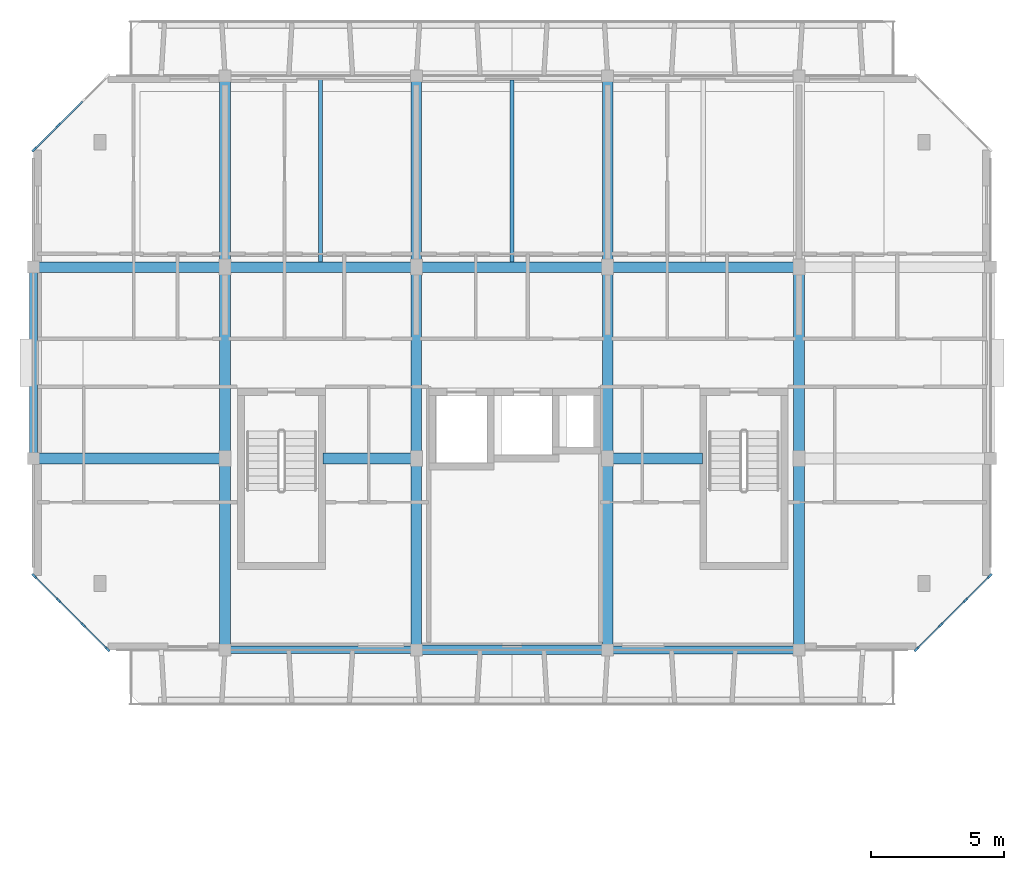
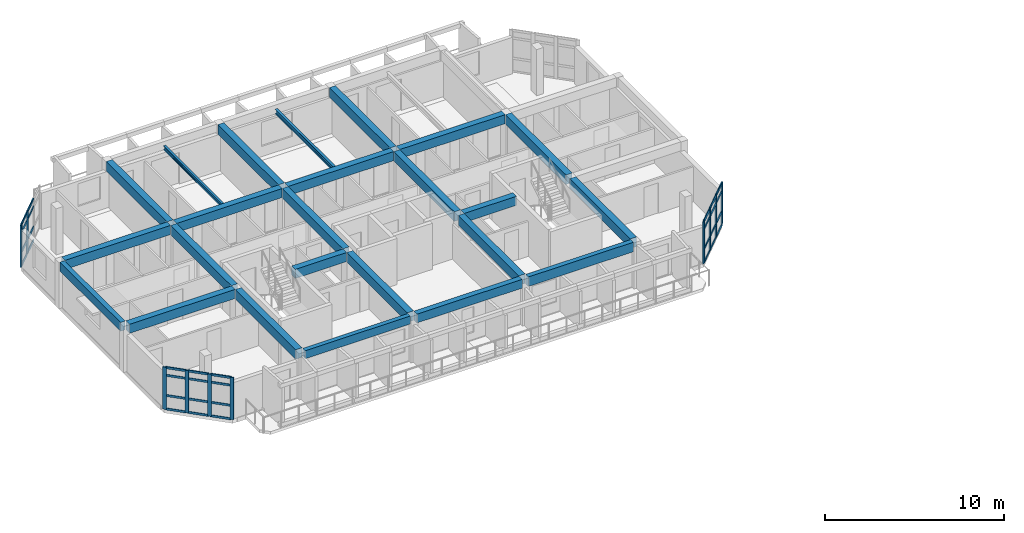
# One storey, part 4 of 22: 42 members, 24 beams, 3 elements without a shape of their own.
"""IFC4 building model written with IfcOpenShell, lengths in metres."""

from ifc_helpers import new_model, si_unit, direction, frame, origin, origin_2d, place, context, subcontext, project, spatial, rectangle, i_section, extrude, material, layer, layer_set, material_profile, profile_set, type_object, element, aggregate, save


model = new_model("IFC4")

# Units and contexts
model_context = context("Model", 3, precision=1e-05, world=origin(), true_north=direction((0.0, 1.0)))
body_context = subcontext(model_context, "Body", "Model", "MODEL_VIEW")
ifc_project = project(units=[si_unit("LENGTHUNIT", "METRE"), si_unit("AREAUNIT", "SQUARE_METRE"), si_unit("VOLUMEUNIT", "CUBIC_METRE"), si_unit("PLANEANGLEUNIT", "RADIAN"), si_unit("MASSUNIT", "GRAM", prefix="KILO")], contexts=[model_context])

# Site, building, storey
site_placement = place(None, origin())
site = spatial("IfcSite", under=ifc_project, at=site_placement, CompositionType="ELEMENT")
building_placement = place(site_placement, origin())
building = spatial("IfcBuilding", under=site, at=building_placement, Name="Ochrevale Crest", CompositionType="ELEMENT")
storey_placement = place(building_placement, frame((0.0, 0.0, 40.199951171875)))
storey = spatial("IfcBuildingStorey", under=building, at=storey_placement, Name="L12", CompositionType="ELEMENT", Elevation=40.199951171875)

# Beams
ifc_material_1 = material(Name="Precast concrete C50/60", Category="concrete")
ifc_material_profile_1 = material_profile(ifc_material_1, rectangle(XDim=0.39990234375, YDim=0.6201171875, at=origin_2d()), Name="PC 400x620")
ifc_profile_set_1 = profile_set([ifc_material_profile_1], Name="Precast concrete C50/60")
beam_type_1 = type_object("IfcBeamType", Name="BM-PC400x620", PredefinedType="BEAM", material=ifc_profile_set_1)
beam_1_placement = place(storey_placement, frame((129.800048828125, 79.199951171875, 2.840087890625), z_axis=(1.0, 0.0, 0.0), x_axis=(0.0, 1.0, 0.0)))
element("IfcBeam", 1, at=beam_1_placement, inside=storey, type_object=beam_type_1, Name="Block D L12 E-W beam Y=79.2", PredefinedType="BEAM", context=body_context, shape_type="SweptSolid", body=[
    extrude(rectangle(XDim=0.39990234375, YDim=0.6201171875, at=origin_2d()), origin(), (0.0, 0.0, 1.0), 6.800048828125),
])
beam_2_placement = place(storey_placement, frame((140.489990234375, 79.199951171875, 2.840087890625), z_axis=(1.0, 0.0, 0.0), x_axis=(0.0, 1.0, 0.0)))
element("IfcBeam", 2, at=beam_2_placement, inside=storey, type_object=beam_type_1, Name="Block D L12 E-W beam Y=79.2", PredefinedType="BEAM", context=body_context, shape_type="SweptSolid", body=[
    extrude(rectangle(XDim=0.39990234375, YDim=0.6201171875, at=origin_2d()), origin(), (0.0, 0.0, 1.0), 3.31005859375),
])
beam_3_placement = place(storey_placement, frame((151.39990234375, 79.199951171875, 2.840087890625), z_axis=(1.0, 0.0, 0.0), x_axis=(0.0, 1.0, 0.0)))
element("IfcBeam", 3, at=beam_3_placement, inside=storey, type_object=beam_type_1, Name="Block D L12 E-W beam Y=79.2", PredefinedType="BEAM", context=body_context, shape_type="SweptSolid", body=[
    extrude(rectangle(XDim=0.39990234375, YDim=0.6201171875, at=origin_2d()), origin(), (0.0, 0.0, 1.0), 3.360107421875),
])
for number, where, z_axis, x_axis, name in (
    (4, (129.800048828125, 86.39990234375, 2.840087890625), (1.0, 0.0, 0.0), (0.0, 1.0, 0.0), "Block D L12 E-W beam Y=86.4"),
    (5, (137.0, 86.39990234375, 2.840087890625), (1.0, 0.0, 0.0), (0.0, 1.0, 0.0), "Block D L12 E-W beam Y=86.4"),
    (6, (144.199951171875, 86.39990234375, 2.840087890625), (1.0, 0.0, 0.0), (0.0, 1.0, 0.0), "Block D L12 E-W beam Y=86.4"),
    (7, (151.39990234375, 86.39990234375, 2.840087890625), (1.0, 0.0, 0.0), (0.0, 1.0, 0.0), "Block D L12 E-W beam Y=86.4"),
):
    element("IfcBeam", number, at=place(storey_placement, frame(where, z_axis=z_axis, x_axis=x_axis)), inside=storey, type_object=beam_type_1, Name=name, PredefinedType="BEAM", context=body_context, shape_type="SweptSolid", body=[
        extrude(rectangle(XDim=0.39990234375, YDim=0.6201171875, at=origin_2d()), origin(), (0.0, 0.0, 1.0), 6.800048828125),
    ])
ifc_material_profile_2 = material_profile(ifc_material_1, rectangle(XDim=0.39990234375, YDim=0.64990234375, at=origin_2d()), Name="PC 400x650")
ifc_profile_set_2 = profile_set([ifc_material_profile_2], Name="Precast concrete C50/60")
beam_type_2 = type_object("IfcBeamType", Name="BM-PC400x650", PredefinedType="BEAM", material=ifc_profile_set_2)
for number, where, z_axis, x_axis, name in (
    (8, (136.800048828125, 72.205078125, 2.824951171875), (0.0, 1.0, 0.0), (-1.0, 0.0, 0.0), "Block D L12 N-S beam X=136.8"),
    (9, (136.800048828125, 79.405029296875, 2.824951171875), (0.0, 1.0, 0.0), (-1.0, 0.0, 0.0), "Block D L12 N-S beam X=136.8"),
    (10, (136.800048828125, 86.60498046875, 2.824951171875), (0.0, 1.0, 0.0), (-1.0, 0.0, 0.0), "Block D L12 N-S beam X=136.8"),
    (11, (144.0, 72.205078125, 2.824951171875), (0.0, 1.0, 0.0), (-1.0, 0.0, 0.0), "Block D L12 N-S beam X=144.0"),
    (12, (144.0, 79.405029296875, 2.824951171875), (0.0, 1.0, 0.0), (-1.0, 0.0, 0.0), "Block D L12 N-S beam X=144.0"),
    (13, (144.0, 86.60498046875, 2.824951171875), (0.0, 1.0, 0.0), (-1.0, 0.0, 0.0), "Block D L12 N-S beam X=144.0"),
    (14, (151.199951171875, 72.205078125, 2.824951171875), (0.0, 1.0, 0.0), (-1.0, 0.0, 0.0), "Block D L12 N-S beam X=151.2"),
    (15, (151.199951171875, 79.405029296875, 2.824951171875), (0.0, 1.0, 0.0), (-1.0, 0.0, 0.0), "Block D L12 N-S beam X=151.2"),
    (16, (151.199951171875, 86.60498046875, 2.824951171875), (0.0, 1.0, 0.0), (-1.0, 0.0, 0.0), "Block D L12 N-S beam X=151.2"),
    (17, (158.39990234375, 72.205078125, 2.824951171875), (0.0, 1.0, 0.0), (-1.0, 0.0, 0.0), "Block D L12 N-S beam X=158.4"),
    (18, (158.39990234375, 79.405029296875, 2.824951171875), (0.0, 1.0, 0.0), (-1.0, 0.0, 0.0), "Block D L12 N-S beam X=158.4"),
):
    element("IfcBeam", number, at=place(storey_placement, frame(where, z_axis=z_axis, x_axis=x_axis)), inside=storey, type_object=beam_type_2, Name=name, PredefinedType="BEAM", context=body_context, shape_type="SweptSolid", body=[
        extrude(rectangle(XDim=0.39990234375, YDim=0.64990234375, at=origin_2d()), origin(), (0.0, 0.0, 1.0), 6.7900390625),
    ])
ifc_material_2 = material(Name="Precast concrete C40/50", Category="concrete")
ifc_material_profile_3 = material_profile(ifc_material_2, rectangle(XDim=0.280029296875, YDim=0.550048828125, at=origin_2d()), Name="PC 280x550")
ifc_profile_set_3 = profile_set([ifc_material_profile_3], Name="Precast concrete C40/50")
beam_type_3 = type_object("IfcBeamType", Name="BM-SP280x550", PredefinedType="SPANDREL", material=ifc_profile_set_3)
beam_4_placement = place(storey_placement, frame((137.0, 72.0, 2.875), z_axis=(1.0, 0.0, 0.0), x_axis=(0.0, 1.0, 0.0)))
element("IfcBeam", 19, at=beam_4_placement, inside=storey, type_object=beam_type_3, Name="Block D L12 E-W beam Y=72.0", PredefinedType="SPANDREL", context=body_context, shape_type="SweptSolid", body=[
    extrude(rectangle(XDim=0.280029296875, YDim=0.550048828125, at=origin_2d()), origin(), (0.0, 0.0, 1.0), 6.800048828125),
])
ifc_material_profile_4 = material_profile(ifc_material_2, rectangle(XDim=0.300048828125, YDim=0.60009765625, at=origin_2d()), Name="PC 300x600")
ifc_profile_set_4 = profile_set([ifc_material_profile_4], Name="Precast concrete C40/50")
beam_type_4 = type_object("IfcBeamType", Name="BM-SP300x600", PredefinedType="SPANDREL", material=ifc_profile_set_4)
beam_5_placement = place(storey_placement, frame((129.60009765625, 79.405029296875, 2.85009765625), z_axis=(0.0, 1.0, 0.0), x_axis=(-1.0, 0.0, 0.0)))
element("IfcBeam", 20, at=beam_5_placement, inside=storey, type_object=beam_type_4, Name="Block D L12 N-S beam X=129.6", PredefinedType="SPANDREL", context=body_context, shape_type="SweptSolid", body=[
    extrude(rectangle(XDim=0.300048828125, YDim=0.60009765625, at=origin_2d()), origin(), (0.0, 0.0, 1.0), 6.7900390625),
])
ifc_material_profile_5 = material_profile(ifc_material_2, rectangle(XDim=0.300048828125, YDim=0.64990234375, at=origin_2d()), Name="PC 300x650")
ifc_profile_set_5 = profile_set([ifc_material_profile_5], Name="Precast concrete C40/50")
beam_type_5 = type_object("IfcBeamType", Name="BM-SP300x650", PredefinedType="SPANDREL", material=ifc_profile_set_5)
beam_6_placement = place(storey_placement, frame((151.39990234375, 72.0, 2.824951171875), z_axis=(1.0, 0.0, 0.0), x_axis=(0.0, 1.0, 0.0)))
element("IfcBeam", 21, at=beam_6_placement, inside=storey, type_object=beam_type_5, Name="Block D L12 E-W beam Y=72.0", PredefinedType="SPANDREL", context=body_context, shape_type="SweptSolid", body=[
    extrude(rectangle(XDim=0.300048828125, YDim=0.64990234375, at=origin_2d()), origin(), (0.0, 0.0, 1.0), 6.800048828125),
])
ifc_material_profile_6 = material_profile(ifc_material_2, rectangle(XDim=0.35009765625, YDim=0.60009765625, at=origin_2d()), Name="PC 350x600")
ifc_profile_set_6 = profile_set([ifc_material_profile_6], Name="Precast concrete C40/50")
beam_type_6 = type_object("IfcBeamType", Name="BM-SP350x600", PredefinedType="SPANDREL", material=ifc_profile_set_6)
beam_7_placement = place(storey_placement, frame((144.199951171875, 72.0, 2.85009765625), z_axis=(1.0, 0.0, 0.0), x_axis=(0.0, 1.0, 0.0)))
element("IfcBeam", 22, at=beam_7_placement, inside=storey, type_object=beam_type_6, Name="Block D L12 E-W beam Y=72.0", PredefinedType="SPANDREL", context=body_context, shape_type="SweptSolid", body=[
    extrude(rectangle(XDim=0.35009765625, YDim=0.60009765625, at=origin_2d()), origin(), (0.0, 0.0, 1.0), 6.800048828125),
])
ifc_material_3 = material(Name="Steel S355", Category="steel")
ifc_material_profile_7 = material_profile(ifc_material_3, i_section(OverallWidth=0.146484375, OverallDepth=0.256103515625, WebThickness=0.00634765625, FlangeThickness=0.010986328125, FilletRadius=0.0087890625, at=origin_2d()), Name="250UB37.3")
ifc_profile_set_7 = profile_set([ifc_material_profile_7], Name="Steel S355")
beam_type_7 = type_object("IfcBeamType", Name="BM-UB250B", PredefinedType="JOIST", material=ifc_profile_set_7)
beam_8_placement = place(storey_placement, frame((140.39990234375, 86.587890625, 2.7470703125), z_axis=(0.0, 1.0, 0.0), x_axis=(-1.0, 0.0, 0.0)))
element("IfcBeam", 23, at=beam_8_placement, inside=storey, type_object=beam_type_7, Name="Block D L12 composite plank trimmer beam 2", PredefinedType="JOIST", context=body_context, shape_type="SweptSolid", body=[
    extrude(i_section(OverallWidth=0.146484375, OverallDepth=0.256103515625, WebThickness=0.00634765625, FlangeThickness=0.010986328125, FilletRadius=0.0087890625, at=origin_2d()), origin(), (0.0, 0.0, 1.0), 6.884033203125),
])
ifc_material_profile_8 = material_profile(ifc_material_3, i_section(OverallWidth=0.1650390625, OverallDepth=0.3037109375, WebThickness=0.006103515625, FlangeThickness=0.01025390625, FilletRadius=0.011474609375, at=origin_2d()), Name="310UB40.4")
ifc_profile_set_8 = profile_set([ifc_material_profile_8], Name="Steel S355")
beam_type_8 = type_object("IfcBeamType", Name="BM-UB310A", PredefinedType="BEAM", material=ifc_profile_set_8)
beam_9_placement = place(storey_placement, frame((147.60009765625, 86.587890625, 2.72314453125), z_axis=(0.0, 1.0, 0.0), x_axis=(-1.0, 0.0, 0.0)))
element("IfcBeam", 24, at=beam_9_placement, inside=storey, type_object=beam_type_8, Name="Block D L12 composite plank trimmer beam 3", PredefinedType="BEAM", context=body_context, shape_type="SweptSolid", body=[
    extrude(i_section(OverallWidth=0.1650390625, OverallDepth=0.3037109375, WebThickness=0.006103515625, FlangeThickness=0.01025390625, FilletRadius=0.011474609375, at=origin_2d()), origin(), (0.0, 0.0, 1.0), 6.84912109375),
])

# Curtain wall, members
ifc_material_4 = material(Name="Anodised aluminium 6063-T5", Category="aluminium")
ifc_layer_1 = layer(ifc_material_4, 0.14990234375)
ifc_layer_set_1 = layer_set([ifc_layer_1], Name="Anodised aluminium 6063-T5")
curtain_wall_type_1 = type_object("IfcCurtainWallType", Name="CW-WG-420x285", PredefinedType="NOTDEFINED", material=ifc_layer_set_1)
curtain_wall_1_placement = place(storey_placement, origin())
curtain_wall_1 = element("IfcCurtainWall", 25, at=curtain_wall_1_placement, inside=storey, type_object=curtain_wall_type_1, Name="Block D L12 chamfered corner wintergarden curtain wall 2", PredefinedType="NOTDEFINED")
ifc_material_profile_9 = material_profile(ifc_material_4, rectangle(XDim=0.074951171875, YDim=0.219970703125, at=origin_2d()), Name="ALU 75x220")
ifc_profile_set_9 = profile_set([ifc_material_profile_9], Name="Anodised aluminium 6063-T5")
member_type_1 = type_object("IfcMemberType", Name="CW-MUL-75x220", PredefinedType="MULLION", material=ifc_profile_set_9)
member_1_placement = place(storey_placement, frame((162.826416015625, 72.026611328125, 0.0), z_axis=(0.0, 0.0, 1.0), x_axis=(-0.707106781187, 0.707106781187, 0.0)))
member_1 = element("IfcMember", 26, at=member_1_placement, type_object=member_type_1, Name="CW22 mullion 1", PredefinedType="MULLION", context=body_context, shape_type="SweptSolid", body=[
    extrude(rectangle(XDim=0.074951171875, YDim=0.219970703125, at=origin_2d()), origin(), (0.0, 0.0, 1.0), 2.875),
])
member_2_placement = place(storey_placement, frame((163.7333984375, 72.933349609375, 0.0), z_axis=(0.0, 0.0, 1.0), x_axis=(-0.707106781187, 0.707106781187, 0.0)))
member_2 = element("IfcMember", 27, at=member_2_placement, type_object=member_type_1, Name="CW22 mullion 2", PredefinedType="MULLION", context=body_context, shape_type="SweptSolid", body=[
    extrude(rectangle(XDim=0.074951171875, YDim=0.219970703125, at=origin_2d()), origin(), (0.0, 0.0, 1.0), 2.875),
])
member_3_placement = place(storey_placement, frame((164.666748046875, 73.86669921875, 0.0), z_axis=(0.0, 0.0, 1.0), x_axis=(-0.707106781187, 0.707106781187, 0.0)))
member_3 = element("IfcMember", 28, at=member_3_placement, type_object=member_type_1, Name="CW22 mullion 3", PredefinedType="MULLION", context=body_context, shape_type="SweptSolid", body=[
    extrude(rectangle(XDim=0.074951171875, YDim=0.219970703125, at=origin_2d()), origin(), (0.0, 0.0, 1.0), 2.875),
])
member_4_placement = place(storey_placement, frame((165.573486328125, 74.7734375, 0.0), z_axis=(0.0, 0.0, 1.0), x_axis=(-0.707106781187, 0.707106781187, 0.0)))
member_4 = element("IfcMember", 29, at=member_4_placement, type_object=member_type_1, Name="CW22 mullion 4", PredefinedType="MULLION", context=body_context, shape_type="SweptSolid", body=[
    extrude(rectangle(XDim=0.074951171875, YDim=0.219970703125, at=origin_2d()), origin(), (0.0, 0.0, 1.0), 2.875),
])

ifc_layer_2 = layer(ifc_material_4, 0.14990234375)
ifc_layer_set_2 = layer_set([ifc_layer_2], Name="Anodised aluminium 6063-T5")
curtain_wall_type_2 = type_object("IfcCurtainWallType", Name="CW-WG-360x285", PredefinedType="NOTDEFINED", material=ifc_layer_set_2)
curtain_wall_2_placement = place(storey_placement, origin())
curtain_wall_2 = element("IfcCurtainWall", 30, at=curtain_wall_2_placement, inside=storey, type_object=curtain_wall_type_2, Name="Block D L12 chamfered corner wintergarden curtain wall 6", PredefinedType="NOTDEFINED")
member_5_placement = place(storey_placement, frame((130.533447265625, 91.7333984375, 0.0), z_axis=(0.0, 0.0, 1.0), x_axis=(0.707106781187, -0.707106781187, 0.0)))
member_5 = element("IfcMember", 31, at=member_5_placement, type_object=member_type_1, Name="CW18 mullion 3", PredefinedType="MULLION", context=body_context, shape_type="SweptSolid", body=[
    extrude(rectangle(XDim=0.074951171875, YDim=0.219970703125, at=origin_2d()), origin(), (0.0, 0.0, 1.0), 2.875),
])
member_6_placement = place(storey_placement, frame((129.62646484375, 90.826416015625, 0.0), z_axis=(0.0, 0.0, 1.0), x_axis=(0.707106781187, -0.707106781187, 0.0)))
member_6 = element("IfcMember", 32, at=member_6_placement, type_object=member_type_1, Name="CW18 mullion 4", PredefinedType="MULLION", context=body_context, shape_type="SweptSolid", body=[
    extrude(rectangle(XDim=0.074951171875, YDim=0.219970703125, at=origin_2d()), origin(), (0.0, 0.0, 1.0), 2.875),
])

ifc_layer_3 = layer(ifc_material_4, 0.14990234375)
ifc_layer_set_3 = layer_set([ifc_layer_3], Name="Anodised aluminium 6063-T5")
curtain_wall_type_3 = type_object("IfcCurtainWallType", Name="CW-WG-240x285", PredefinedType="NOTDEFINED", material=ifc_layer_set_3)
curtain_wall_3_placement = place(storey_placement, origin())
curtain_wall_3 = element("IfcCurtainWall", 33, at=curtain_wall_3_placement, inside=storey, type_object=curtain_wall_type_3, Name="Block D L12 chamfered corner wintergarden curtain wall 8", PredefinedType="NOTDEFINED")
member_7_placement = place(storey_placement, frame((129.62646484375, 74.7734375, 0.0), z_axis=(0.0, 0.0, 1.0), x_axis=(0.707106781187, 0.707106781187, 0.0)))
member_7 = element("IfcMember", 34, at=member_7_placement, type_object=member_type_1, Name="CW15 mullion 1", PredefinedType="MULLION", context=body_context, shape_type="SweptSolid", body=[
    extrude(rectangle(XDim=0.074951171875, YDim=0.219970703125, at=origin_2d()), origin(), (0.0, 0.0, 1.0), 2.875),
])
member_8_placement = place(storey_placement, frame((130.533447265625, 73.86669921875, 0.0), z_axis=(0.0, 0.0, 1.0), x_axis=(0.707106781187, 0.707106781187, 0.0)))
member_8 = element("IfcMember", 35, at=member_8_placement, type_object=member_type_1, Name="CW15 mullion 2", PredefinedType="MULLION", context=body_context, shape_type="SweptSolid", body=[
    extrude(rectangle(XDim=0.074951171875, YDim=0.219970703125, at=origin_2d()), origin(), (0.0, 0.0, 1.0), 2.875),
])
member_9_placement = place(storey_placement, frame((131.466552734375, 72.933349609375, 0.0), z_axis=(0.0, 0.0, 1.0), x_axis=(0.707106781187, 0.707106781187, 0.0)))
member_9 = element("IfcMember", 36, at=member_9_placement, type_object=member_type_1, Name="CW15 mullion 3", PredefinedType="MULLION", context=body_context, shape_type="SweptSolid", body=[
    extrude(rectangle(XDim=0.074951171875, YDim=0.219970703125, at=origin_2d()), origin(), (0.0, 0.0, 1.0), 2.875),
])
member_10_placement = place(storey_placement, frame((132.37353515625, 72.026611328125, 0.0), z_axis=(0.0, 0.0, 1.0), x_axis=(0.707106781187, 0.707106781187, 0.0)))
member_10 = element("IfcMember", 37, at=member_10_placement, type_object=member_type_1, Name="CW15 mullion 4", PredefinedType="MULLION", context=body_context, shape_type="SweptSolid", body=[
    extrude(rectangle(XDim=0.074951171875, YDim=0.219970703125, at=origin_2d()), origin(), (0.0, 0.0, 1.0), 2.875),
])

# Member
ifc_material_profile_10 = material_profile(ifc_material_4, rectangle(XDim=0.06005859375, YDim=0.14990234375, at=origin_2d()), Name="ALU 60x150")
ifc_profile_set_10 = profile_set([ifc_material_profile_10], Name="Anodised aluminium 6063-T5")
member_type_2 = type_object("IfcMemberType", Name="CW-TRN-60x150", PredefinedType="USERDEFINED", material=ifc_profile_set_10)
member_11_placement = place(storey_placement, frame((162.85302734375, 72.052978515625, 0.030029296875), z_axis=(0.707106781187, 0.707106781187, 0.0), x_axis=(-0.707106781187, 0.707106781187, 0.0)))
member_11 = element("IfcMember", 38, at=member_11_placement, type_object=member_type_2, Name="CW22 transom 1.1", ObjectType="TRANSOM", PredefinedType="USERDEFINED", context=body_context, shape_type="SweptSolid", body=[
    extrude(rectangle(XDim=0.06005859375, YDim=0.14990234375, at=origin_2d()), origin(), (0.0, 0.0, 1.0), 1.20751953125),
])

member_12_placement = place(storey_placement, frame((162.85302734375, 72.052978515625, 0.949951171875), z_axis=(0.707106781187, 0.707106781187, 0.0), x_axis=(-0.707106781187, 0.707106781187, 0.0)))
member_12 = element("IfcMember", 39, at=member_12_placement, type_object=member_type_2, Name="CW22 transom 1.2", ObjectType="TRANSOM", PredefinedType="USERDEFINED", context=body_context, shape_type="SweptSolid", body=[
    extrude(rectangle(XDim=0.06005859375, YDim=0.14990234375, at=origin_2d()), origin(), (0.0, 0.0, 1.0), 1.20751953125),
])

member_13_placement = place(storey_placement, frame((162.85302734375, 72.052978515625, 2.324951171875), z_axis=(0.707106781187, 0.707106781187, 0.0), x_axis=(-0.707106781187, 0.707106781187, 0.0)))
member_13 = element("IfcMember", 40, at=member_13_placement, type_object=member_type_2, Name="CW22 transom 1.3", ObjectType="TRANSOM", PredefinedType="USERDEFINED", context=body_context, shape_type="SweptSolid", body=[
    extrude(rectangle(XDim=0.06005859375, YDim=0.14990234375, at=origin_2d()), origin(), (0.0, 0.0, 1.0), 1.20751953125),
])

member_14_placement = place(storey_placement, frame((162.85302734375, 72.052978515625, 2.844970703125), z_axis=(0.707106781187, 0.707106781187, 0.0), x_axis=(-0.707106781187, 0.707106781187, 0.0)))
member_14 = element("IfcMember", 41, at=member_14_placement, type_object=member_type_2, Name="CW22 transom 1.4", ObjectType="TRANSOM", PredefinedType="USERDEFINED", context=body_context, shape_type="SweptSolid", body=[
    extrude(rectangle(XDim=0.06005859375, YDim=0.14990234375, at=origin_2d()), origin(), (0.0, 0.0, 1.0), 1.20751953125),
])

member_15_placement = place(storey_placement, frame((163.759765625, 72.9599609375, 0.030029296875), z_axis=(0.707204833848, 0.707008714926, 0.0), x_axis=(-0.707008714926, 0.707204833848, 0.0)))
member_15 = element("IfcMember", 42, at=member_15_placement, type_object=member_type_2, Name="CW22 transom 2.1", ObjectType="TRANSOM", PredefinedType="USERDEFINED", context=body_context, shape_type="SweptSolid", body=[
    extrude(rectangle(XDim=0.06005859375, YDim=0.14990234375, at=origin_2d()), origin(), (0.0, 0.0, 1.0), 1.244873046875),
])

member_16_placement = place(storey_placement, frame((163.759765625, 72.9599609375, 0.949951171875), z_axis=(0.707204833848, 0.707008714926, 0.0), x_axis=(-0.707008714926, 0.707204833848, 0.0)))
member_16 = element("IfcMember", 43, at=member_16_placement, type_object=member_type_2, Name="CW22 transom 2.2", ObjectType="TRANSOM", PredefinedType="USERDEFINED", context=body_context, shape_type="SweptSolid", body=[
    extrude(rectangle(XDim=0.06005859375, YDim=0.14990234375, at=origin_2d()), origin(), (0.0, 0.0, 1.0), 1.244873046875),
])

member_17_placement = place(storey_placement, frame((163.759765625, 72.9599609375, 2.324951171875), z_axis=(0.707204833848, 0.707008714926, 0.0), x_axis=(-0.707008714926, 0.707204833848, 0.0)))
member_17 = element("IfcMember", 44, at=member_17_placement, type_object=member_type_2, Name="CW22 transom 2.3", ObjectType="TRANSOM", PredefinedType="USERDEFINED", context=body_context, shape_type="SweptSolid", body=[
    extrude(rectangle(XDim=0.06005859375, YDim=0.14990234375, at=origin_2d()), origin(), (0.0, 0.0, 1.0), 1.244873046875),
])

member_18_placement = place(storey_placement, frame((163.759765625, 72.9599609375, 2.844970703125), z_axis=(0.707204833848, 0.707008714926, 0.0), x_axis=(-0.707008714926, 0.707204833848, 0.0)))
member_18 = element("IfcMember", 45, at=member_18_placement, type_object=member_type_2, Name="CW22 transom 2.4", ObjectType="TRANSOM", PredefinedType="USERDEFINED", context=body_context, shape_type="SweptSolid", body=[
    extrude(rectangle(XDim=0.06005859375, YDim=0.14990234375, at=origin_2d()), origin(), (0.0, 0.0, 1.0), 1.244873046875),
])

member_19_placement = place(storey_placement, frame((164.693115234375, 73.89306640625, 0.030029296875), z_axis=(0.707005686502, 0.70720786142, 0.0), x_axis=(-0.70720786142, 0.707005686502, 0.0)))
member_19 = element("IfcMember", 46, at=member_19_placement, type_object=member_type_2, Name="CW22 transom 3.1", ObjectType="TRANSOM", PredefinedType="USERDEFINED", context=body_context, shape_type="SweptSolid", body=[
    extrude(rectangle(XDim=0.06005859375, YDim=0.14990234375, at=origin_2d()), origin(), (0.0, 0.0, 1.0), 1.20751953125),
])

member_20_placement = place(storey_placement, frame((164.693115234375, 73.89306640625, 0.949951171875), z_axis=(0.707005686502, 0.70720786142, 0.0), x_axis=(-0.70720786142, 0.707005686502, 0.0)))
member_20 = element("IfcMember", 47, at=member_20_placement, type_object=member_type_2, Name="CW22 transom 3.2", ObjectType="TRANSOM", PredefinedType="USERDEFINED", context=body_context, shape_type="SweptSolid", body=[
    extrude(rectangle(XDim=0.06005859375, YDim=0.14990234375, at=origin_2d()), origin(), (0.0, 0.0, 1.0), 1.20751953125),
])

member_21_placement = place(storey_placement, frame((164.693115234375, 73.89306640625, 2.324951171875), z_axis=(0.707005686502, 0.70720786142, 0.0), x_axis=(-0.70720786142, 0.707005686502, 0.0)))
member_21 = element("IfcMember", 48, at=member_21_placement, type_object=member_type_2, Name="CW22 transom 3.3", ObjectType="TRANSOM", PredefinedType="USERDEFINED", context=body_context, shape_type="SweptSolid", body=[
    extrude(rectangle(XDim=0.06005859375, YDim=0.14990234375, at=origin_2d()), origin(), (0.0, 0.0, 1.0), 1.20751953125),
])

member_22_placement = place(storey_placement, frame((164.693115234375, 73.89306640625, 2.844970703125), z_axis=(0.707005686502, 0.70720786142, 0.0), x_axis=(-0.70720786142, 0.707005686502, 0.0)))
member_22 = element("IfcMember", 49, at=member_22_placement, type_object=member_type_2, Name="CW22 transom 3.4", ObjectType="TRANSOM", PredefinedType="USERDEFINED", context=body_context, shape_type="SweptSolid", body=[
    extrude(rectangle(XDim=0.06005859375, YDim=0.14990234375, at=origin_2d()), origin(), (0.0, 0.0, 1.0), 1.20751953125),
])

aggregate(curtain_wall_1, [member_1, member_2, member_3, member_4, member_11, member_12, member_13, member_14, member_15, member_16, member_17, member_18, member_19, member_20, member_21, member_22])

member_23_placement = place(storey_placement, frame((131.440185546875, 92.64013671875, 0.030029296875), z_axis=(-0.707106781187, -0.707106781187, 0.0), x_axis=(0.707106781187, -0.707106781187, 0.0)))
member_23 = element("IfcMember", 50, at=member_23_placement, type_object=member_type_2, Name="CW18 transom 2.1", ObjectType="TRANSOM", PredefinedType="USERDEFINED", context=body_context, shape_type="SweptSolid", body=[
    extrude(rectangle(XDim=0.06005859375, YDim=0.14990234375, at=origin_2d()), origin(), (0.0, 0.0, 1.0), 1.2451171875),
])

member_24_placement = place(storey_placement, frame((131.440185546875, 92.64013671875, 0.949951171875), z_axis=(-0.707106781187, -0.707106781187, 0.0), x_axis=(0.707106781187, -0.707106781187, 0.0)))
member_24 = element("IfcMember", 51, at=member_24_placement, type_object=member_type_2, Name="CW18 transom 2.2", ObjectType="TRANSOM", PredefinedType="USERDEFINED", context=body_context, shape_type="SweptSolid", body=[
    extrude(rectangle(XDim=0.06005859375, YDim=0.14990234375, at=origin_2d()), origin(), (0.0, 0.0, 1.0), 1.2451171875),
])

member_25_placement = place(storey_placement, frame((131.440185546875, 92.64013671875, 2.324951171875), z_axis=(-0.707106781187, -0.707106781187, 0.0), x_axis=(0.707106781187, -0.707106781187, 0.0)))
member_25 = element("IfcMember", 52, at=member_25_placement, type_object=member_type_2, Name="CW18 transom 2.3", ObjectType="TRANSOM", PredefinedType="USERDEFINED", context=body_context, shape_type="SweptSolid", body=[
    extrude(rectangle(XDim=0.06005859375, YDim=0.14990234375, at=origin_2d()), origin(), (0.0, 0.0, 1.0), 1.2451171875),
])

member_26_placement = place(storey_placement, frame((131.440185546875, 92.64013671875, 2.844970703125), z_axis=(-0.707106781187, -0.707106781187, 0.0), x_axis=(0.707106781187, -0.707106781187, 0.0)))
member_26 = element("IfcMember", 53, at=member_26_placement, type_object=member_type_2, Name="CW18 transom 2.4", ObjectType="TRANSOM", PredefinedType="USERDEFINED", context=body_context, shape_type="SweptSolid", body=[
    extrude(rectangle(XDim=0.06005859375, YDim=0.14990234375, at=origin_2d()), origin(), (0.0, 0.0, 1.0), 1.2451171875),
])

member_27_placement = place(storey_placement, frame((130.5068359375, 91.706787109375, 0.030029296875), z_axis=(-0.707106781187, -0.707106781187, 0.0), x_axis=(0.707106781187, -0.707106781187, 0.0)))
member_27 = element("IfcMember", 54, at=member_27_placement, type_object=member_type_2, Name="CW18 transom 3.1", ObjectType="TRANSOM", PredefinedType="USERDEFINED", context=body_context, shape_type="SweptSolid", body=[
    extrude(rectangle(XDim=0.06005859375, YDim=0.14990234375, at=origin_2d()), origin(), (0.0, 0.0, 1.0), 1.20751953125),
])

member_28_placement = place(storey_placement, frame((130.5068359375, 91.706787109375, 0.949951171875), z_axis=(-0.707106781187, -0.707106781187, 0.0), x_axis=(0.707106781187, -0.707106781187, 0.0)))
member_28 = element("IfcMember", 55, at=member_28_placement, type_object=member_type_2, Name="CW18 transom 3.2", ObjectType="TRANSOM", PredefinedType="USERDEFINED", context=body_context, shape_type="SweptSolid", body=[
    extrude(rectangle(XDim=0.06005859375, YDim=0.14990234375, at=origin_2d()), origin(), (0.0, 0.0, 1.0), 1.20751953125),
])

member_29_placement = place(storey_placement, frame((130.5068359375, 91.706787109375, 2.324951171875), z_axis=(-0.707106781187, -0.707106781187, 0.0), x_axis=(0.707106781187, -0.707106781187, 0.0)))
member_29 = element("IfcMember", 56, at=member_29_placement, type_object=member_type_2, Name="CW18 transom 3.3", ObjectType="TRANSOM", PredefinedType="USERDEFINED", context=body_context, shape_type="SweptSolid", body=[
    extrude(rectangle(XDim=0.06005859375, YDim=0.14990234375, at=origin_2d()), origin(), (0.0, 0.0, 1.0), 1.20751953125),
])

member_30_placement = place(storey_placement, frame((130.5068359375, 91.706787109375, 2.844970703125), z_axis=(-0.707106781187, -0.707106781187, 0.0), x_axis=(0.707106781187, -0.707106781187, 0.0)))
member_30 = element("IfcMember", 57, at=member_30_placement, type_object=member_type_2, Name="CW18 transom 3.4", ObjectType="TRANSOM", PredefinedType="USERDEFINED", context=body_context, shape_type="SweptSolid", body=[
    extrude(rectangle(XDim=0.06005859375, YDim=0.14990234375, at=origin_2d()), origin(), (0.0, 0.0, 1.0), 1.20751953125),
])

aggregate(curtain_wall_2, [member_5, member_6, member_23, member_24, member_25, member_26, member_27, member_28, member_29, member_30])

member_31_placement = place(storey_placement, frame((129.653076171875, 74.7470703125, 0.030029296875), z_axis=(0.707005686502, -0.70720786142, 0.0), x_axis=(0.70720786142, 0.707005686502, 0.0)))
member_31 = element("IfcMember", 58, at=member_31_placement, type_object=member_type_2, Name="CW15 transom 1.1", ObjectType="TRANSOM", PredefinedType="USERDEFINED", context=body_context, shape_type="SweptSolid", body=[
    extrude(rectangle(XDim=0.06005859375, YDim=0.14990234375, at=origin_2d()), origin(), (0.0, 0.0, 1.0), 1.20751953125),
])

member_32_placement = place(storey_placement, frame((129.653076171875, 74.7470703125, 0.949951171875), z_axis=(0.707005686502, -0.70720786142, 0.0), x_axis=(0.70720786142, 0.707005686502, 0.0)))
member_32 = element("IfcMember", 59, at=member_32_placement, type_object=member_type_2, Name="CW15 transom 1.2", ObjectType="TRANSOM", PredefinedType="USERDEFINED", context=body_context, shape_type="SweptSolid", body=[
    extrude(rectangle(XDim=0.06005859375, YDim=0.14990234375, at=origin_2d()), origin(), (0.0, 0.0, 1.0), 1.20751953125),
])

member_33_placement = place(storey_placement, frame((129.653076171875, 74.7470703125, 2.324951171875), z_axis=(0.707005686502, -0.70720786142, 0.0), x_axis=(0.70720786142, 0.707005686502, 0.0)))
member_33 = element("IfcMember", 60, at=member_33_placement, type_object=member_type_2, Name="CW15 transom 1.3", ObjectType="TRANSOM", PredefinedType="USERDEFINED", context=body_context, shape_type="SweptSolid", body=[
    extrude(rectangle(XDim=0.06005859375, YDim=0.14990234375, at=origin_2d()), origin(), (0.0, 0.0, 1.0), 1.20751953125),
])

member_34_placement = place(storey_placement, frame((129.653076171875, 74.7470703125, 2.844970703125), z_axis=(0.707005686502, -0.70720786142, 0.0), x_axis=(0.70720786142, 0.707005686502, 0.0)))
member_34 = element("IfcMember", 61, at=member_34_placement, type_object=member_type_2, Name="CW15 transom 1.4", ObjectType="TRANSOM", PredefinedType="USERDEFINED", context=body_context, shape_type="SweptSolid", body=[
    extrude(rectangle(XDim=0.06005859375, YDim=0.14990234375, at=origin_2d()), origin(), (0.0, 0.0, 1.0), 1.20751953125),
])

member_35_placement = place(storey_placement, frame((130.559814453125, 73.840087890625, 0.030029296875), z_axis=(0.707204833848, -0.707008714926, 0.0), x_axis=(0.707008714926, 0.707204833848, 0.0)))
member_35 = element("IfcMember", 62, at=member_35_placement, type_object=member_type_2, Name="CW15 transom 2.1", ObjectType="TRANSOM", PredefinedType="USERDEFINED", context=body_context, shape_type="SweptSolid", body=[
    extrude(rectangle(XDim=0.06005859375, YDim=0.14990234375, at=origin_2d()), origin(), (0.0, 0.0, 1.0), 1.244873046875),
])

member_36_placement = place(storey_placement, frame((130.559814453125, 73.840087890625, 0.949951171875), z_axis=(0.707204833848, -0.707008714926, 0.0), x_axis=(0.707008714926, 0.707204833848, 0.0)))
member_36 = element("IfcMember", 63, at=member_36_placement, type_object=member_type_2, Name="CW15 transom 2.2", ObjectType="TRANSOM", PredefinedType="USERDEFINED", context=body_context, shape_type="SweptSolid", body=[
    extrude(rectangle(XDim=0.06005859375, YDim=0.14990234375, at=origin_2d()), origin(), (0.0, 0.0, 1.0), 1.244873046875),
])

member_37_placement = place(storey_placement, frame((130.559814453125, 73.840087890625, 2.324951171875), z_axis=(0.707204833848, -0.707008714926, 0.0), x_axis=(0.707008714926, 0.707204833848, 0.0)))
member_37 = element("IfcMember", 64, at=member_37_placement, type_object=member_type_2, Name="CW15 transom 2.3", ObjectType="TRANSOM", PredefinedType="USERDEFINED", context=body_context, shape_type="SweptSolid", body=[
    extrude(rectangle(XDim=0.06005859375, YDim=0.14990234375, at=origin_2d()), origin(), (0.0, 0.0, 1.0), 1.244873046875),
])

member_38_placement = place(storey_placement, frame((130.559814453125, 73.840087890625, 2.844970703125), z_axis=(0.707204833848, -0.707008714926, 0.0), x_axis=(0.707008714926, 0.707204833848, 0.0)))
member_38 = element("IfcMember", 65, at=member_38_placement, type_object=member_type_2, Name="CW15 transom 2.4", ObjectType="TRANSOM", PredefinedType="USERDEFINED", context=body_context, shape_type="SweptSolid", body=[
    extrude(rectangle(XDim=0.06005859375, YDim=0.14990234375, at=origin_2d()), origin(), (0.0, 0.0, 1.0), 1.244873046875),
])

member_39_placement = place(storey_placement, frame((131.4931640625, 72.90673828125, 0.030029296875), z_axis=(0.707106781187, -0.707106781187, 0.0), x_axis=(0.707106781187, 0.707106781187, 0.0)))
member_39 = element("IfcMember", 66, at=member_39_placement, type_object=member_type_2, Name="CW15 transom 3.1", ObjectType="TRANSOM", PredefinedType="USERDEFINED", context=body_context, shape_type="SweptSolid", body=[
    extrude(rectangle(XDim=0.06005859375, YDim=0.14990234375, at=origin_2d()), origin(), (0.0, 0.0, 1.0), 1.20751953125),
])

member_40_placement = place(storey_placement, frame((131.4931640625, 72.90673828125, 0.949951171875), z_axis=(0.707106781187, -0.707106781187, 0.0), x_axis=(0.707106781187, 0.707106781187, 0.0)))
member_40 = element("IfcMember", 67, at=member_40_placement, type_object=member_type_2, Name="CW15 transom 3.2", ObjectType="TRANSOM", PredefinedType="USERDEFINED", context=body_context, shape_type="SweptSolid", body=[
    extrude(rectangle(XDim=0.06005859375, YDim=0.14990234375, at=origin_2d()), origin(), (0.0, 0.0, 1.0), 1.20751953125),
])

member_41_placement = place(storey_placement, frame((131.4931640625, 72.90673828125, 2.324951171875), z_axis=(0.707106781187, -0.707106781187, 0.0), x_axis=(0.707106781187, 0.707106781187, 0.0)))
member_41 = element("IfcMember", 68, at=member_41_placement, type_object=member_type_2, Name="CW15 transom 3.3", ObjectType="TRANSOM", PredefinedType="USERDEFINED", context=body_context, shape_type="SweptSolid", body=[
    extrude(rectangle(XDim=0.06005859375, YDim=0.14990234375, at=origin_2d()), origin(), (0.0, 0.0, 1.0), 1.20751953125),
])

member_42_placement = place(storey_placement, frame((131.4931640625, 72.90673828125, 2.844970703125), z_axis=(0.707106781187, -0.707106781187, 0.0), x_axis=(0.707106781187, 0.707106781187, 0.0)))
member_42 = element("IfcMember", 69, at=member_42_placement, type_object=member_type_2, Name="CW15 transom 3.4", ObjectType="TRANSOM", PredefinedType="USERDEFINED", context=body_context, shape_type="SweptSolid", body=[
    extrude(rectangle(XDim=0.06005859375, YDim=0.14990234375, at=origin_2d()), origin(), (0.0, 0.0, 1.0), 1.20751953125),
])

aggregate(curtain_wall_3, [member_7, member_8, member_9, member_10, member_31, member_32, member_33, member_34, member_35, member_36, member_37, member_38, member_39, member_40, member_41, member_42])

save(model, "model.ifc")
